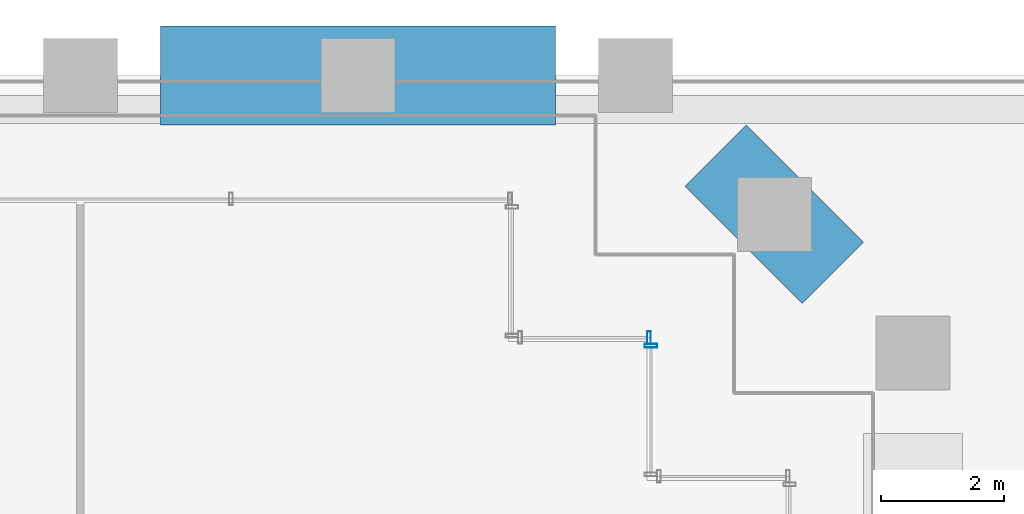
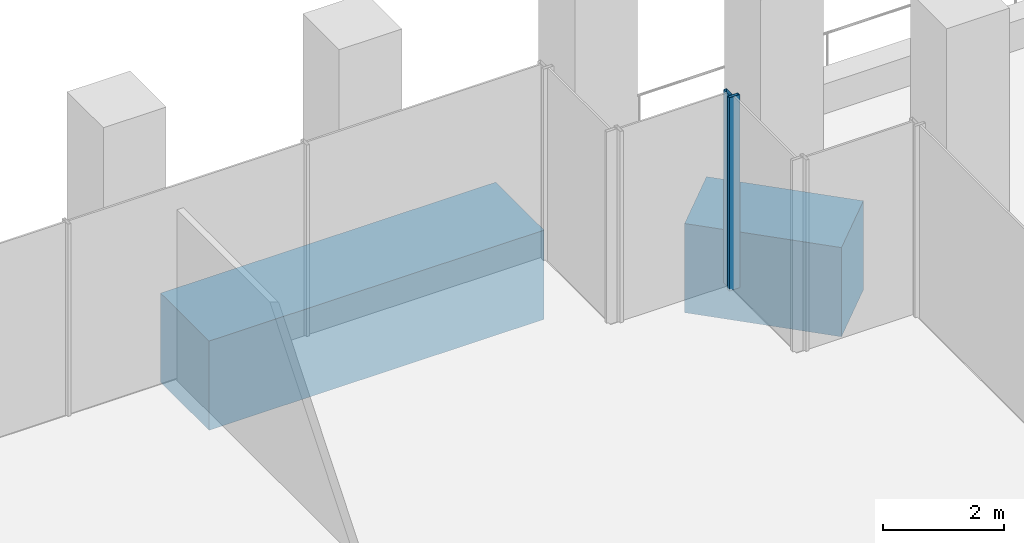
# One storey, part 13 of 32: 2 beams, 2 members, 2 elements without a shape of their own.
"""IFC4 building model written with IfcOpenShell, lengths in metres."""

from ifc_helpers import new_model, si_unit, direction, frame, origin, origin_2d, place, context, subcontext, project, spatial, rectangle, hollow_rectangle, extrude, material, material_profile, profile_set, type_object, element, aggregate, save


model = new_model("IFC4")

# Units and contexts
model_context = context("Model", 3, precision=1e-05, world=origin(), true_north=direction((0.0, 1.0)))
body_context = subcontext(model_context, "Body", "Model", "MODEL_VIEW")
ifc_project = project(units=[si_unit("LENGTHUNIT", "METRE"), si_unit("AREAUNIT", "SQUARE_METRE"), si_unit("VOLUMEUNIT", "CUBIC_METRE"), si_unit("PLANEANGLEUNIT", "RADIAN"), si_unit("MASSUNIT", "GRAM", prefix="KILO")], contexts=[model_context])

# Site, building, storey
site_placement = place(None, origin())
site = spatial("IfcSite", under=ifc_project, at=site_placement, CompositionType="ELEMENT")
building_placement = place(site_placement, origin())
building = spatial("IfcBuilding", under=site, at=building_placement, Name="Altepetl Exchange Towers", CompositionType="ELEMENT")
storey_placement = place(building_placement, frame((0.0, 0.0, 21.0)))
storey = spatial("IfcBuildingStorey", under=building, at=storey_placement, Name="L04", CompositionType="ELEMENT", Elevation=21.0)

# Curtain wall, member
ifc_material_1 = material(Name="Aluminium 6063-T6 glazing", Category="aluminium")
curtain_wall_type = type_object("IfcCurtainWallType", Name="Trading floor glazing system", PredefinedType="NOTDEFINED", material=ifc_material_1)
curtain_wall_1_placement = place(storey_placement, origin())
curtain_wall_1 = element("IfcCurtainWall", 1, at=curtain_wall_1_placement, inside=storey, type_object=curtain_wall_type, Name="CW2 run", PredefinedType="NOTDEFINED")
ifc_material_2 = material(Name="Aluminium 6063-T6", Category="aluminium")
ifc_material_profile_1 = material_profile(ifc_material_2, hollow_rectangle(XDim=0.06005859375, YDim=0.199951171875, WallThickness=0.0029296875, at=origin_2d()), Name="Mullion 60x200 aluminium")
ifc_profile_set_1 = profile_set([ifc_material_profile_1], Name="Aluminium 6063-T6")
member_type = type_object("IfcMemberType", Name="Mullion 60x200 aluminium", PredefinedType="MULLION", material=ifc_profile_set_1)
member_1_placement = place(storey_placement, frame((67.75, 67.6201171875, 0.0), z_axis=(0.0, 0.0, 1.0), x_axis=(0.0, 1.0, 0.0)))
member_1 = element("IfcMember", 2, at=member_1_placement, type_object=member_type, Name="MU2 mullion", PredefinedType="MULLION", context=body_context, shape_type="SweptSolid", body=[
    extrude(hollow_rectangle(XDim=0.06005859375, YDim=0.199951171875, WallThickness=0.0029296875, at=origin_2d()), origin(), (0.0, 0.0, 1.0), 3.89990234375),
])
aggregate(curtain_wall_1, [member_1])

curtain_wall_2_placement = place(storey_placement, origin())
curtain_wall_2 = element("IfcCurtainWall", 3, at=curtain_wall_2_placement, inside=storey, type_object=curtain_wall_type, Name="CW2 run", PredefinedType="NOTDEFINED")
member_2_placement = place(storey_placement, frame((67.719970703125, 67.75, 0.0), z_axis=(0.0, 0.0, 1.0), x_axis=(-1.0, 0.0, 0.0)))
member_2 = element("IfcMember", 4, at=member_2_placement, type_object=member_type, Name="MU2 mullion", PredefinedType="MULLION", context=body_context, shape_type="SweptSolid", body=[
    extrude(hollow_rectangle(XDim=0.06005859375, YDim=0.199951171875, WallThickness=0.0029296875, at=origin_2d()), origin(), (0.0, 0.0, 1.0), 3.89990234375),
])
aggregate(curtain_wall_2, [member_2])

# Beams
ifc_material_3 = material(Name="Concrete C60/75", Category="concrete")
ifc_material_profile_2 = material_profile(ifc_material_3, rectangle(XDim=1.39990234375, YDim=1.800048828125, at=origin_2d()), Name="1400 x 1800")
ifc_profile_set_2 = profile_set([ifc_material_profile_2], Name="Concrete C60/75")
beam_type_1 = type_object("IfcBeamType", Name="Transfer girder 1400x1800", PredefinedType="BEAM", material=ifc_profile_set_2)
beam_1_placement = place(storey_placement, frame((68.800048828125, 70.699951171875, -1.35009765625), z_axis=(0.707106781187, -0.707106781187, 0.0), x_axis=(0.707106781187, 0.707106781187, 0.0)))
element("IfcBeam", 5, at=beam_1_placement, inside=storey, type_object=beam_type_1, Name="bm:A:L04:tg14", PredefinedType="BEAM", context=body_context, shape_type="SweptSolid", body=[
    extrude(rectangle(XDim=1.39990234375, YDim=1.800048828125, at=origin_2d()), origin(), (0.0, 0.0, 1.0), 2.686767578125),
])
ifc_material_profile_3 = material_profile(ifc_material_3, rectangle(XDim=1.60009765625, YDim=1.800048828125, at=origin_2d()), Name="1600 x 1800")
ifc_profile_set_3 = profile_set([ifc_material_profile_3], Name="Concrete C60/75")
beam_type_2 = type_object("IfcBeamType", Name="Transfer girder 1600x1800", PredefinedType="BEAM", material=ifc_profile_set_3)
beam_2_placement = place(storey_placement, frame((59.800048828125, 72.0, -1.35009765625), z_axis=(1.0, 0.0, 0.0), x_axis=(0.0, 1.0, 0.0)))
element("IfcBeam", 6, at=beam_2_placement, inside=storey, type_object=beam_type_2, Name="bm:A:L04:tg08", PredefinedType="BEAM", context=body_context, shape_type="SweptSolid", body=[
    extrude(rectangle(XDim=1.60009765625, YDim=1.800048828125, at=origin_2d()), origin(), (0.0, 0.0, 1.0), 6.39990234375),
])

save(model, "model.ifc")
